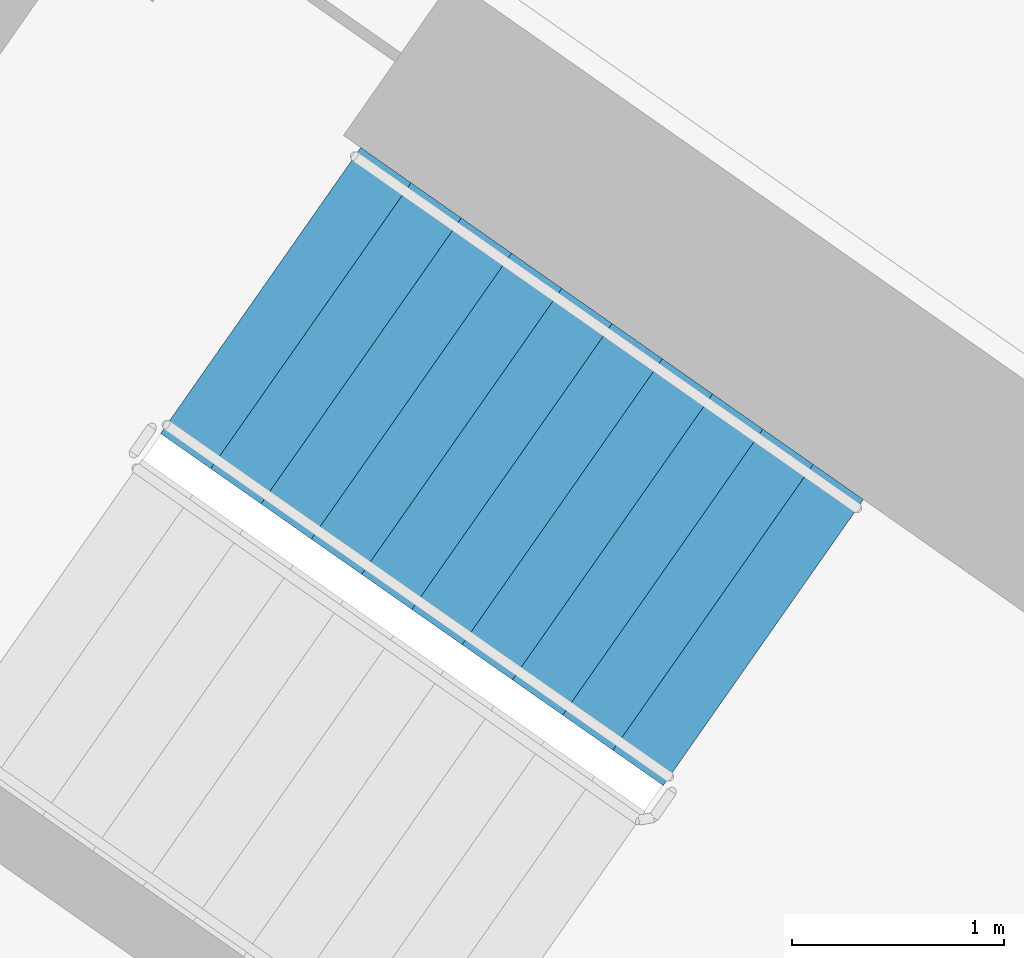
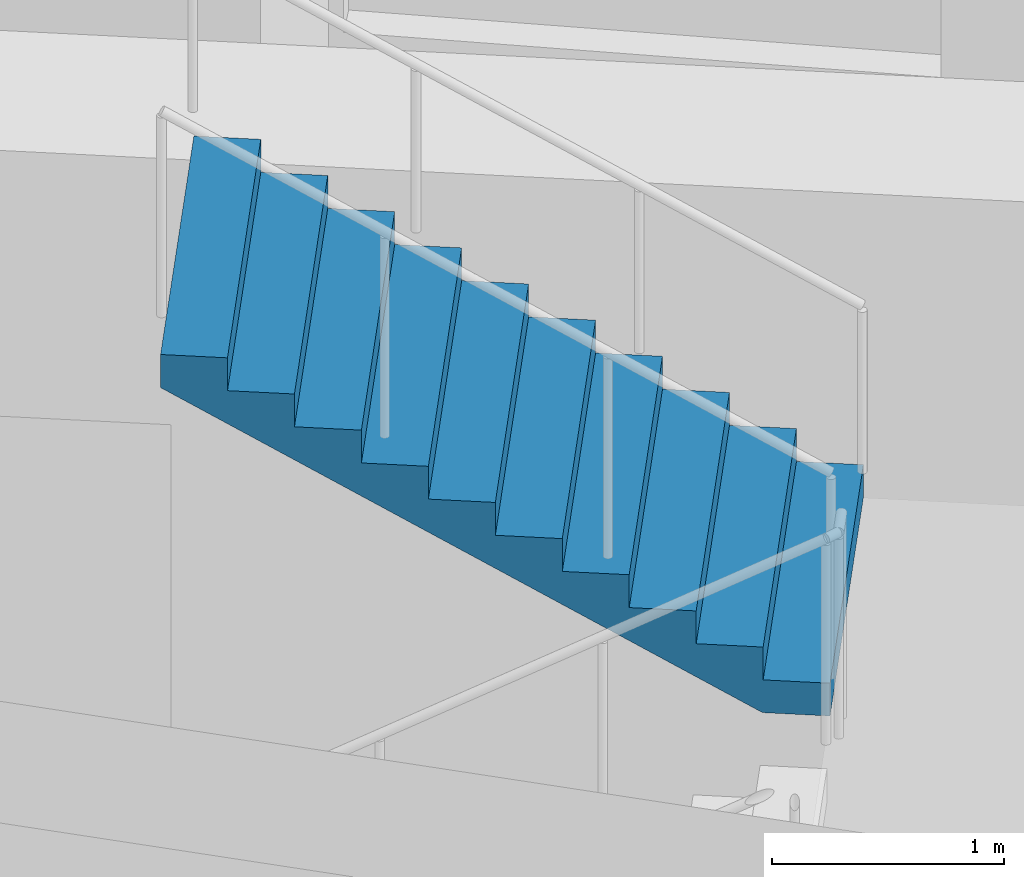
# One storey, part 13 of 33: 1 stair flight, 1 element without a shape of its own.
"""IFC4 building model written with IfcOpenShell, lengths in metres."""

import ifcopenshell
import ifcopenshell.guid

model = None  # the IFC model being written
_history = None  # IfcOwnerHistory: only IFC2X3 demands one
_inside = {}  # id of a spatial element -> (the spatial element, [elements in it])
_under = {}  # id of a project, library or spatial element -> (it, [spatial elements below it])
_declared = {}  # id of a project -> (the project, [libraries it declares])
_typed = {}  # id of a type object -> (the type object, [elements of that type])
_made_of = {}  # id of a material, layer set ... -> (it, [elements and type objects made of it])


def new_model(schema):
    """Start an empty IFC model of exactly this schema.

    Asked for "IFC4X3", IfcOpenShell would pick the latest addendum, in which some entities
    have other attributes; the version numbers below select the first issue.
    IFC2X3 requires an IfcOwnerHistory on every rooted entity: one is made here for all.
    """
    global model, _history
    if schema == "IFC4X3":
        model = ifcopenshell.file(schema_version=(4, 3, 0, 0))
    else:
        model = ifcopenshell.file(schema=schema)
    _inside.clear()
    _under.clear()
    _declared.clear()
    _typed.clear()
    _made_of.clear()
    _history = None
    if model.schema == "IFC2X3":
        org = make("IfcOrganization", Name="unknown")
        user = make(
            "IfcPersonAndOrganization",
            ThePerson=make("IfcPerson", FamilyName="unknown"),
            TheOrganization=org,
        )
        app = make(
            "IfcApplication",
            ApplicationDeveloper=org,
            Version="unknown",
            ApplicationFullName="unknown",
            ApplicationIdentifier="unknown",
        )
        _history = make(
            "IfcOwnerHistory",
            OwningUser=user,
            OwningApplication=app,
            ChangeAction="ADDED",
            CreationDate=0,
        )
    return model


def make(cls, **values):
    """One entity of the class cls with the attributes given. An attribute that is None is left unset."""
    return model.create_entity(
        cls, **{name: value for name, value in values.items() if value is not None}
    )


def rooted(cls, **values):
    """An entity with a GlobalId (a new one), such as an element, a storey or a relation."""
    return make(cls, GlobalId=ifcopenshell.guid.new(), OwnerHistory=_history, **values)


def si_unit(unit_type, name, prefix=None):
    """IfcSIUnit, for example si_unit("LENGTHUNIT", "METRE", prefix="MILLI")."""
    return make("IfcSIUnit", UnitType=unit_type, Prefix=prefix, Name=name)


def assignment(units):
    """IfcUnitAssignment: the units of a project."""
    return None if units is None else make("IfcUnitAssignment", Units=units)


def point(xyz):
    """IfcCartesianPoint."""
    return None if xyz is None else make("IfcCartesianPoint", Coordinates=xyz)


def direction(xyz):
    """IfcDirection."""
    return None if xyz is None else make("IfcDirection", DirectionRatios=xyz)


def frame(location, z_axis=None, x_axis=None):
    """IfcAxis2Placement3D, a coordinate frame: its origin and axes. An axis left out is left unset."""
    return make(
        "IfcAxis2Placement3D",
        Location=point(location),
        Axis=direction(z_axis),
        RefDirection=direction(x_axis),
    )


def origin():
    """The frame at (0, 0, 0) with its axes left unset."""
    return frame((0.0, 0.0, 0.0))


def place(relative_to, where):
    """IfcLocalPlacement: puts the frame where relative to a parent placement (None: the world)."""
    return make(
        "IfcLocalPlacement", PlacementRelTo=relative_to, RelativePlacement=where
    )


def context(
    kind, dimensions, precision=None, world=None, true_north=None, identifier=None
):
    """IfcGeometricRepresentationContext, for example the 3D "Model" context."""
    return make(
        "IfcGeometricRepresentationContext",
        ContextIdentifier=identifier,
        ContextType=kind,
        CoordinateSpaceDimension=dimensions,
        Precision=precision,
        WorldCoordinateSystem=world,
        TrueNorth=true_north,
    )


def subcontext(parent, identifier, kind, view, scale=None):
    """IfcGeometricRepresentationSubContext, for example "Body" below "Model"."""
    return make(
        "IfcGeometricRepresentationSubContext",
        ContextIdentifier=identifier,
        ContextType=kind,
        ParentContext=parent,
        TargetScale=scale,
        TargetView=view,
    )


def project(units=None, contexts=None):
    """IfcProject with its units and contexts."""
    return rooted(
        "IfcProject",
        Name="project",
        RepresentationContexts=contexts,
        UnitsInContext=assignment(units),
    )


def spatial(cls, under=None, at=None, **own):
    """A site, building, storey or space (cls), placed at a placement, below another one or the project."""
    s = rooted(cls, ObjectPlacement=at, **own)
    if under is not None:
        _under.setdefault(under.id(), (under, []))[1].append(s)
    return s


def faces_of(points, faces, orient=None, outer=None):
    """IfcFace entities. A face is a list of loops; a loop is a list of indices into points, from 0.

    orient and outer hold one flag for each loop. By default every Orientation is true, the
    first loop of a face is its IfcFaceOuterBound and the others are IfcFaceBound.
    """
    made = []
    for i, loops in enumerate(faces):
        bounds = []
        for j, loop in enumerate(loops):
            is_outer = j == 0 if outer is None else outer[i][j]
            bounds.append(
                make(
                    "IfcFaceOuterBound" if is_outer else "IfcFaceBound",
                    Bound=make("IfcPolyLoop", Polygon=[points[k] for k in loop]),
                    Orientation=True if orient is None else orient[i][j],
                )
            )
        made.append(make("IfcFace", Bounds=bounds))
    return made


def faceted_brep(points, faces, orient=None, outer=None, voids=None):
    """IfcFacetedBrep: a solid bounded by flat faces; with voids (closed shells), ...WithVoids."""
    shared = [point(p) for p in points]
    hull = make("IfcClosedShell", CfsFaces=faces_of(shared, faces, orient, outer))
    if voids is None:
        return make("IfcFacetedBrep", Outer=hull)
    return make(
        "IfcFacetedBrepWithVoids",
        Outer=hull,
        Voids=[
            make(cls, CfsFaces=faces_of(shared, fs, o, b)) for cls, fs, o, b in voids
        ],
    )


def shape(context_of_items, identifier, shape_type, items):
    """IfcShapeRepresentation: the items that make up one representation, for example the "Body"."""
    return make(
        "IfcShapeRepresentation",
        ContextOfItems=context_of_items,
        RepresentationIdentifier=identifier,
        RepresentationType=shape_type,
        Items=items,
    )


def material(Name=None, Category=None):
    """IfcMaterial."""
    return make("IfcMaterial", Name=Name, Category=Category)


def made_of(thing, what):
    """Note that an element or type object is made of a material, layer set ...; save() writes the relation."""
    if what is not None:
        _made_of.setdefault(what.id(), (what, []))[1].append(thing)
    return thing


def type_object(cls, material=None, **own):
    """A type object (cls), such as IfcWallType, which elements share."""
    return made_of(rooted(cls, **own), material)


def element(
    cls,
    number,
    at=None,
    inside=None,
    cuts=None,
    type_object=None,
    material=None,
    context=None,
    identifier="Body",
    shape_type=None,
    held_by="IfcProductDefinitionShape",
    body=None,
    shapes=None,
    **own,
):
    """One element of the class cls, such as IfcWall. Its Tag is "e" and its number.

    at: its placement. inside: the storey or other place that contains it. cuts: it is an
    opening in that element (IfcRelVoidsElement). A single representation is given by context,
    identifier, shape_type and body (its items); several are given by shapes. held_by: the class
    of the entity that holds the representations. save() writes the other relations.
    """
    e = rooted(cls, Tag="e%d" % number, ObjectPlacement=at, **own)
    if body is not None:
        shapes = [shape(context, identifier, shape_type, body)]
    if shapes is not None:
        e.Representation = make(held_by, Representations=shapes)
    if inside is not None:
        _inside.setdefault(inside.id(), (inside, []))[1].append(e)
    if cuts is not None:
        rooted(
            "IfcRelVoidsElement", RelatingBuildingElement=cuts, RelatedOpeningElement=e
        )
    if type_object is not None:
        _typed.setdefault(type_object.id(), (type_object, []))[1].append(e)
    return made_of(e, material)


def aggregate(whole, parts):
    """IfcRelAggregates: a whole, such as a stair, and the parts it consists of."""
    return rooted("IfcRelAggregates", RelatingObject=whole, RelatedObjects=parts)


def save(model, path):
    """Write the relations noted so far, then the file.

    IfcRelAggregates (storeys below a building ...), IfcRelContainedInSpatialStructure (elements
    in a storey), IfcRelDefinesByType, IfcRelAssociatesMaterial and IfcRelDeclares: one each for
    every whole, place, type object, material and project.
    """
    for whole, parts in _under.values():
        aggregate(whole, parts)
    for where, things in _inside.values():
        rooted(
            "IfcRelContainedInSpatialStructure",
            RelatedElements=things,
            RelatingStructure=where,
        )
    for kind, things in _typed.values():
        rooted("IfcRelDefinesByType", RelatedObjects=things, RelatingType=kind)
    for what, things in _made_of.values():
        rooted("IfcRelAssociatesMaterial", RelatedObjects=things, RelatingMaterial=what)
    for by, libraries in _declared.values():
        rooted("IfcRelDeclares", RelatingContext=by, RelatedDefinitions=libraries)
    model.write(path)


model = new_model("IFC4")

# Units and contexts
model_context = context("Model", 3, precision=1e-05, world=origin(), true_north=direction((0.0, 1.0)))
body_context = subcontext(model_context, "Body", "Model", "MODEL_VIEW")
ifc_project = project(units=[si_unit("LENGTHUNIT", "METRE"), si_unit("AREAUNIT", "SQUARE_METRE"), si_unit("VOLUMEUNIT", "CUBIC_METRE"), si_unit("PLANEANGLEUNIT", "RADIAN"), si_unit("MASSUNIT", "GRAM", prefix="KILO")], contexts=[model_context])

# Site, building, storey
site_placement = place(None, origin())
site = spatial("IfcSite", under=ifc_project, at=site_placement, CompositionType="ELEMENT")
building_placement = place(site_placement, origin())
building = spatial("IfcBuilding", under=site, at=building_placement, Name="Qamariyya Broadcast Tower", CompositionType="ELEMENT")
storey_placement = place(building_placement, frame((0.0, 0.0, 94.89990234375)))
storey = spatial("IfcBuildingStorey", under=building, at=storey_placement, Name="L20", CompositionType="ELEMENT", Elevation=94.89990234375)

# Stair, stair flight
ifc_material = material(Name="Concrete C50/60", Category="concrete")
stair_type = type_object("IfcStairType", Name="Exit stair 22 risers of 173 mm", PredefinedType="HALF_TURN_STAIR", material=ifc_material)
stair_placement = place(storey_placement, origin())
stair = element("IfcStair", 1, at=stair_placement, inside=storey, type_object=stair_type, Name="L20 Stair W2", PredefinedType="HALF_TURN_STAIR")
stair_flight_type = type_object("IfcStairFlightType", Name="Exit stair flight 11 risers of 173 mm", PredefinedType="STRAIGHT", material=ifc_material)
stair_flight_placement = place(storey_placement, frame((-38.18310546875, -49.3486328125, 1.900146484375), z_axis=(0.0, 0.0, 1.0), x_axis=(-0.819152044289, 0.573576436351, 0.0)))
stair_flight = element("IfcStairFlight", 2, at=stair_flight_placement, type_object=stair_flight_type, Name="ST-W2 flight 2", NumberOfRisers=11, NumberOfTreads=10, PredefinedType="STRAIGHT", RiserHeight=0.172727273, TreadLength=0.29, context=body_context, shape_type="Brep", body=[
    faceted_brep([(0.0, 0.824951171875, 0.0), (0.0, 0.824951171875, 0.172607421875), (0.2900390625, 0.824951171875, 0.172607421875), (0.2900390625, 0.824951171875, 0.345458984375), (0.580078125, 0.824951171875, 0.345458984375), (0.580078125, 0.824951171875, 0.51806640625), (0.8701171875, 0.824951171875, 0.51806640625), (0.8701171875, 0.824951171875, 0.69091796875), (1.159912109375, 0.824951171875, 0.69091796875), (1.159912109375, 0.824951171875, 0.863525390625), (1.449951171875, 0.824951171875, 0.863525390625), (1.449951171875, 0.824951171875, 1.036376953125), (1.739990234375, 0.824951171875, 1.036376953125), (1.739990234375, 0.824951171875, 1.208984375), (2.030029296875, 0.824951171875, 1.208984375), (2.030029296875, 0.824951171875, 1.3818359375), (2.320068359375, 0.824951171875, 1.3818359375), (2.320068359375, 0.824951171875, 1.554443359375), (2.610107421875, 0.824951171875, 1.554443359375), (2.610107421875, 0.824951171875, 1.727294921875), (2.89990234375, 0.824951171875, 1.727294921875), (2.89990234375, 0.824951171875, 1.552734375), (0.29296875, 0.824951171875, 0.0), (0.29296875, -0.824951171875, 0.0), (2.89990234375, -0.824951171875, 1.552734375), (2.89990234375, -0.824951171875, 1.727294921875), (2.610107421875, -0.824951171875, 1.727294921875), (2.610107421875, -0.824951171875, 1.554443359375), (2.320068359375, -0.824951171875, 1.554443359375), (2.320068359375, -0.824951171875, 1.3818359375), (2.030029296875, -0.824951171875, 1.3818359375), (2.030029296875, -0.824951171875, 1.208984375), (1.739990234375, -0.824951171875, 1.208984375), (1.739990234375, -0.824951171875, 1.036376953125), (1.449951171875, -0.824951171875, 1.036376953125), (1.449951171875, -0.824951171875, 0.863525390625), (1.159912109375, -0.824951171875, 0.863525390625), (1.159912109375, -0.824951171875, 0.69091796875), (0.8701171875, -0.824951171875, 0.69091796875), (0.8701171875, -0.824951171875, 0.51806640625), (0.580078125, -0.824951171875, 0.51806640625), (0.580078125, -0.824951171875, 0.345458984375), (0.2900390625, -0.824951171875, 0.345458984375), (0.2900390625, -0.824951171875, 0.172607421875), (0.0, -0.824951171875, 0.172607421875), (0.0, -0.824951171875, 0.0), (0.0, 0.10009765625, 0.0), (0.0, 0.086669921875, 0.0), (0.0, 0.0732421875, 0.0), (0.0, 0.06005859375, 0.0), (0.0, 0.046630859375, 0.0), (0.0, 0.033447265625, 0.0), (0.0, 0.02001953125, 0.0), (0.0, 0.006591796875, 0.0), (0.0, -0.006591796875, 0.0), (0.0, -0.02001953125, 0.0), (0.0, -0.033447265625, 0.0), (0.0, -0.046630859375, 0.0), (0.0, -0.06005859375, 0.0), (0.0, -0.0732421875, 0.0), (0.0, -0.086669921875, 0.0), (0.0, -0.10009765625, 0.0), (0.0, -0.10009765625, 0.172607421875), (0.0, -0.086669921875, 0.172607421875), (0.0, -0.0732421875, 0.172607421875), (0.0, -0.06005859375, 0.172607421875), (0.0, -0.046630859375, 0.172607421875), (0.0, -0.033447265625, 0.172607421875), (0.0, -0.02001953125, 0.172607421875), (0.0, -0.006591796875, 0.172607421875), (0.0, 0.006591796875, 0.172607421875), (0.0, 0.02001953125, 0.172607421875), (0.0, 0.033447265625, 0.172607421875), (0.0, 0.046630859375, 0.172607421875), (0.0, 0.06005859375, 0.172607421875), (0.0, 0.0732421875, 0.172607421875), (0.0, 0.086669921875, 0.172607421875), (0.0, 0.10009765625, 0.172607421875), (0.2900390625, -0.10009765625, 0.172607421875), (0.2900390625, -0.086669921875, 0.172607421875), (0.2900390625, -0.0732421875, 0.172607421875), (0.2900390625, -0.06005859375, 0.172607421875), (0.2900390625, -0.046630859375, 0.172607421875), (0.2900390625, -0.033447265625, 0.172607421875), (0.2900390625, -0.02001953125, 0.172607421875), (0.2900390625, -0.006591796875, 0.172607421875), (0.2900390625, 0.006591796875, 0.172607421875), (0.2900390625, 0.02001953125, 0.172607421875), (0.2900390625, 0.033447265625, 0.172607421875), (0.2900390625, 0.046630859375, 0.172607421875), (0.2900390625, 0.06005859375, 0.172607421875), (0.2900390625, 0.0732421875, 0.172607421875), (0.2900390625, 0.086669921875, 0.172607421875), (0.2900390625, 0.10009765625, 0.172607421875), (0.2900390625, -0.10009765625, 0.345458984375), (0.2900390625, -0.086669921875, 0.345458984375), (0.2900390625, -0.0732421875, 0.345458984375), (0.2900390625, -0.06005859375, 0.345458984375), (0.2900390625, -0.046630859375, 0.345458984375), (0.2900390625, -0.033447265625, 0.345458984375), (0.2900390625, -0.02001953125, 0.345458984375), (0.2900390625, -0.006591796875, 0.345458984375), (0.2900390625, 0.006591796875, 0.345458984375), (0.2900390625, 0.02001953125, 0.345458984375), (0.2900390625, 0.033447265625, 0.345458984375), (0.2900390625, 0.046630859375, 0.345458984375), (0.2900390625, 0.06005859375, 0.345458984375), (0.2900390625, 0.0732421875, 0.345458984375), (0.2900390625, 0.086669921875, 0.345458984375), (0.2900390625, 0.10009765625, 0.345458984375), (0.580078125, -0.10009765625, 0.345458984375), (0.580078125, -0.086669921875, 0.345458984375), (0.580078125, -0.0732421875, 0.345458984375), (0.580078125, -0.06005859375, 0.345458984375), (0.580078125, -0.046630859375, 0.345458984375), (0.580078125, -0.033447265625, 0.345458984375), (0.580078125, -0.02001953125, 0.345458984375), (0.580078125, -0.006591796875, 0.345458984375), (0.580078125, 0.006591796875, 0.345458984375), (0.580078125, 0.02001953125, 0.345458984375), (0.580078125, 0.033447265625, 0.345458984375), (0.580078125, 0.046630859375, 0.345458984375), (0.580078125, 0.06005859375, 0.345458984375), (0.580078125, 0.0732421875, 0.345458984375), (0.580078125, 0.086669921875, 0.345458984375), (0.580078125, 0.10009765625, 0.345458984375), (0.580078125, -0.10009765625, 0.51806640625), (0.580078125, -0.086669921875, 0.51806640625), (0.580078125, -0.0732421875, 0.51806640625), (0.580078125, -0.06005859375, 0.51806640625), (0.580078125, -0.046630859375, 0.51806640625), (0.580078125, -0.033447265625, 0.51806640625), (0.580078125, -0.02001953125, 0.51806640625), (0.580078125, -0.006591796875, 0.51806640625), (0.580078125, 0.006591796875, 0.51806640625), (0.580078125, 0.02001953125, 0.51806640625), (0.580078125, 0.033447265625, 0.51806640625), (0.580078125, 0.046630859375, 0.51806640625), (0.580078125, 0.06005859375, 0.51806640625), (0.580078125, 0.0732421875, 0.51806640625), (0.580078125, 0.086669921875, 0.51806640625), (0.580078125, 0.10009765625, 0.51806640625), (0.8701171875, -0.10009765625, 0.51806640625), (0.8701171875, -0.086669921875, 0.51806640625), (0.8701171875, -0.0732421875, 0.51806640625), (0.8701171875, -0.06005859375, 0.51806640625), (0.8701171875, -0.046630859375, 0.51806640625), (0.8701171875, -0.033447265625, 0.51806640625), (0.8701171875, -0.02001953125, 0.51806640625), (0.8701171875, -0.006591796875, 0.51806640625), (0.8701171875, 0.006591796875, 0.51806640625), (0.8701171875, 0.02001953125, 0.51806640625), (0.8701171875, 0.033447265625, 0.51806640625), (0.8701171875, 0.046630859375, 0.51806640625), (0.8701171875, 0.06005859375, 0.51806640625), (0.8701171875, 0.0732421875, 0.51806640625), (0.8701171875, 0.086669921875, 0.51806640625), (0.8701171875, 0.10009765625, 0.51806640625), (0.8701171875, -0.10009765625, 0.69091796875), (0.8701171875, -0.086669921875, 0.69091796875), (0.8701171875, -0.0732421875, 0.69091796875), (0.8701171875, -0.06005859375, 0.69091796875), (0.8701171875, -0.046630859375, 0.69091796875), (0.8701171875, -0.033447265625, 0.69091796875), (0.8701171875, -0.02001953125, 0.69091796875), (0.8701171875, -0.006591796875, 0.69091796875), (0.8701171875, 0.006591796875, 0.69091796875), (0.8701171875, 0.02001953125, 0.69091796875), (0.8701171875, 0.033447265625, 0.69091796875), (0.8701171875, 0.046630859375, 0.69091796875), (0.8701171875, 0.06005859375, 0.69091796875), (0.8701171875, 0.0732421875, 0.69091796875), (0.8701171875, 0.086669921875, 0.69091796875), (0.8701171875, 0.10009765625, 0.69091796875), (1.159912109375, -0.10009765625, 0.69091796875), (1.159912109375, -0.086669921875, 0.69091796875), (1.159912109375, -0.0732421875, 0.69091796875), (1.159912109375, -0.06005859375, 0.69091796875), (1.159912109375, -0.046630859375, 0.69091796875), (1.159912109375, -0.033447265625, 0.69091796875), (1.159912109375, -0.02001953125, 0.69091796875), (1.159912109375, -0.006591796875, 0.69091796875), (1.159912109375, 0.006591796875, 0.69091796875), (1.159912109375, 0.02001953125, 0.69091796875), (1.159912109375, 0.033447265625, 0.69091796875), (1.159912109375, 0.046630859375, 0.69091796875), (1.159912109375, 0.06005859375, 0.69091796875), (1.159912109375, 0.0732421875, 0.69091796875), (1.159912109375, 0.086669921875, 0.69091796875), (1.159912109375, 0.10009765625, 0.69091796875), (1.159912109375, -0.10009765625, 0.863525390625), (1.159912109375, -0.086669921875, 0.863525390625), (1.159912109375, -0.0732421875, 0.863525390625), (1.159912109375, -0.06005859375, 0.863525390625), (1.159912109375, -0.046630859375, 0.863525390625), (1.159912109375, -0.033447265625, 0.863525390625), (1.159912109375, -0.02001953125, 0.863525390625), (1.159912109375, -0.006591796875, 0.863525390625), (1.159912109375, 0.006591796875, 0.863525390625), (1.159912109375, 0.02001953125, 0.863525390625), (1.159912109375, 0.033447265625, 0.863525390625), (1.159912109375, 0.046630859375, 0.863525390625), (1.159912109375, 0.06005859375, 0.863525390625), (1.159912109375, 0.0732421875, 0.863525390625), (1.159912109375, 0.086669921875, 0.863525390625), (1.159912109375, 0.10009765625, 0.863525390625), (1.449951171875, -0.10009765625, 0.863525390625), (1.449951171875, -0.086669921875, 0.863525390625), (1.449951171875, -0.0732421875, 0.863525390625), (1.449951171875, -0.06005859375, 0.863525390625), (1.449951171875, -0.046630859375, 0.863525390625), (1.449951171875, -0.033447265625, 0.863525390625), (1.449951171875, -0.02001953125, 0.863525390625), (1.449951171875, -0.006591796875, 0.863525390625), (1.449951171875, 0.006591796875, 0.863525390625), (1.449951171875, 0.02001953125, 0.863525390625), (1.449951171875, 0.033447265625, 0.863525390625), (1.449951171875, 0.046630859375, 0.863525390625), (1.449951171875, 0.06005859375, 0.863525390625), (1.449951171875, 0.0732421875, 0.863525390625), (1.449951171875, 0.086669921875, 0.863525390625), (1.449951171875, 0.10009765625, 0.863525390625), (1.449951171875, -0.10009765625, 1.036376953125), (1.449951171875, -0.086669921875, 1.036376953125), (1.449951171875, -0.0732421875, 1.036376953125), (1.449951171875, -0.06005859375, 1.036376953125), (1.449951171875, -0.046630859375, 1.036376953125), (1.449951171875, -0.033447265625, 1.036376953125), (1.449951171875, -0.02001953125, 1.036376953125), (1.449951171875, -0.006591796875, 1.036376953125), (1.449951171875, 0.006591796875, 1.036376953125), (1.449951171875, 0.02001953125, 1.036376953125), (1.449951171875, 0.033447265625, 1.036376953125), (1.449951171875, 0.046630859375, 1.036376953125), (1.449951171875, 0.06005859375, 1.036376953125), (1.449951171875, 0.0732421875, 1.036376953125), (1.449951171875, 0.086669921875, 1.036376953125), (1.449951171875, 0.10009765625, 1.036376953125), (1.739990234375, -0.10009765625, 1.036376953125), (1.739990234375, -0.086669921875, 1.036376953125), (1.739990234375, -0.0732421875, 1.036376953125), (1.739990234375, -0.06005859375, 1.036376953125), (1.739990234375, -0.046630859375, 1.036376953125), (1.739990234375, -0.033447265625, 1.036376953125), (1.739990234375, -0.02001953125, 1.036376953125), (1.739990234375, -0.006591796875, 1.036376953125), (1.739990234375, 0.006591796875, 1.036376953125), (1.739990234375, 0.02001953125, 1.036376953125), (1.739990234375, 0.033447265625, 1.036376953125), (1.739990234375, 0.046630859375, 1.036376953125), (1.739990234375, 0.06005859375, 1.036376953125), (1.739990234375, 0.0732421875, 1.036376953125), (1.739990234375, 0.086669921875, 1.036376953125), (1.739990234375, 0.10009765625, 1.036376953125), (1.739990234375, -0.10009765625, 1.208984375), (1.739990234375, -0.086669921875, 1.208984375), (1.739990234375, -0.0732421875, 1.208984375), (1.739990234375, -0.06005859375, 1.208984375), (1.739990234375, -0.046630859375, 1.208984375), (1.739990234375, -0.033447265625, 1.208984375), (1.739990234375, -0.02001953125, 1.208984375), (1.739990234375, -0.006591796875, 1.208984375), (1.739990234375, 0.006591796875, 1.208984375), (1.739990234375, 0.02001953125, 1.208984375), (1.739990234375, 0.033447265625, 1.208984375), (1.739990234375, 0.046630859375, 1.208984375), (1.739990234375, 0.06005859375, 1.208984375), (1.739990234375, 0.0732421875, 1.208984375), (1.739990234375, 0.086669921875, 1.208984375), (1.739990234375, 0.10009765625, 1.208984375), (2.030029296875, -0.10009765625, 1.208984375), (2.030029296875, -0.086669921875, 1.208984375), (2.030029296875, -0.0732421875, 1.208984375), (2.030029296875, -0.06005859375, 1.208984375), (2.030029296875, -0.046630859375, 1.208984375), (2.030029296875, -0.033447265625, 1.208984375), (2.030029296875, -0.02001953125, 1.208984375), (2.030029296875, -0.006591796875, 1.208984375), (2.030029296875, 0.006591796875, 1.208984375), (2.030029296875, 0.02001953125, 1.208984375), (2.030029296875, 0.033447265625, 1.208984375), (2.030029296875, 0.046630859375, 1.208984375), (2.030029296875, 0.06005859375, 1.208984375), (2.030029296875, 0.0732421875, 1.208984375), (2.030029296875, 0.086669921875, 1.208984375), (2.030029296875, 0.10009765625, 1.208984375), (2.030029296875, -0.10009765625, 1.3818359375), (2.030029296875, -0.086669921875, 1.3818359375), (2.030029296875, -0.0732421875, 1.3818359375), (2.030029296875, -0.06005859375, 1.3818359375), (2.030029296875, -0.046630859375, 1.3818359375), (2.030029296875, -0.033447265625, 1.3818359375), (2.030029296875, -0.02001953125, 1.3818359375), (2.030029296875, -0.006591796875, 1.3818359375), (2.030029296875, 0.006591796875, 1.3818359375), (2.030029296875, 0.02001953125, 1.3818359375), (2.030029296875, 0.033447265625, 1.3818359375), (2.030029296875, 0.046630859375, 1.3818359375), (2.030029296875, 0.06005859375, 1.3818359375), (2.030029296875, 0.0732421875, 1.3818359375), (2.030029296875, 0.086669921875, 1.3818359375), (2.030029296875, 0.10009765625, 1.3818359375), (2.320068359375, -0.10009765625, 1.3818359375), (2.320068359375, -0.086669921875, 1.3818359375), (2.320068359375, -0.0732421875, 1.3818359375), (2.320068359375, -0.06005859375, 1.3818359375), (2.320068359375, -0.046630859375, 1.3818359375), (2.320068359375, -0.033447265625, 1.3818359375), (2.320068359375, -0.02001953125, 1.3818359375), (2.320068359375, -0.006591796875, 1.3818359375), (2.320068359375, 0.006591796875, 1.3818359375), (2.320068359375, 0.02001953125, 1.3818359375), (2.320068359375, 0.033447265625, 1.3818359375), (2.320068359375, 0.046630859375, 1.3818359375), (2.320068359375, 0.06005859375, 1.3818359375), (2.320068359375, 0.0732421875, 1.3818359375), (2.320068359375, 0.086669921875, 1.3818359375), (2.320068359375, 0.10009765625, 1.3818359375), (2.320068359375, -0.10009765625, 1.554443359375), (2.320068359375, -0.086669921875, 1.554443359375), (2.320068359375, -0.0732421875, 1.554443359375), (2.320068359375, -0.06005859375, 1.554443359375), (2.320068359375, -0.046630859375, 1.554443359375), (2.320068359375, -0.033447265625, 1.554443359375), (2.320068359375, -0.02001953125, 1.554443359375), (2.320068359375, -0.006591796875, 1.554443359375), (2.320068359375, 0.006591796875, 1.554443359375), (2.320068359375, 0.02001953125, 1.554443359375), (2.320068359375, 0.033447265625, 1.554443359375), (2.320068359375, 0.046630859375, 1.554443359375), (2.320068359375, 0.06005859375, 1.554443359375), (2.320068359375, 0.0732421875, 1.554443359375), (2.320068359375, 0.086669921875, 1.554443359375), (2.320068359375, 0.10009765625, 1.554443359375), (2.610107421875, -0.10009765625, 1.554443359375), (2.610107421875, -0.086669921875, 1.554443359375), (2.610107421875, -0.0732421875, 1.554443359375), (2.610107421875, -0.06005859375, 1.554443359375), (2.610107421875, -0.046630859375, 1.554443359375), (2.610107421875, -0.033447265625, 1.554443359375), (2.610107421875, -0.02001953125, 1.554443359375), (2.610107421875, -0.006591796875, 1.554443359375), (2.610107421875, 0.006591796875, 1.554443359375), (2.610107421875, 0.02001953125, 1.554443359375), (2.610107421875, 0.033447265625, 1.554443359375), (2.610107421875, 0.046630859375, 1.554443359375), (2.610107421875, 0.06005859375, 1.554443359375), (2.610107421875, 0.0732421875, 1.554443359375), (2.610107421875, 0.086669921875, 1.554443359375), (2.610107421875, 0.10009765625, 1.554443359375), (2.610107421875, -0.10009765625, 1.727294921875), (2.610107421875, -0.086669921875, 1.727294921875), (2.610107421875, -0.0732421875, 1.727294921875), (2.610107421875, -0.06005859375, 1.727294921875), (2.610107421875, -0.046630859375, 1.727294921875), (2.610107421875, -0.033447265625, 1.727294921875), (2.610107421875, -0.02001953125, 1.727294921875), (2.610107421875, -0.006591796875, 1.727294921875), (2.610107421875, 0.006591796875, 1.727294921875), (2.610107421875, 0.02001953125, 1.727294921875), (2.610107421875, 0.033447265625, 1.727294921875), (2.610107421875, 0.046630859375, 1.727294921875), (2.610107421875, 0.06005859375, 1.727294921875), (2.610107421875, 0.0732421875, 1.727294921875), (2.610107421875, 0.086669921875, 1.727294921875), (2.610107421875, 0.10009765625, 1.727294921875), (2.89990234375, -0.10009765625, 1.727294921875), (2.89990234375, -0.086669921875, 1.727294921875), (2.89990234375, -0.0732421875, 1.727294921875), (2.89990234375, -0.06005859375, 1.727294921875), (2.89990234375, -0.046630859375, 1.727294921875), (2.89990234375, -0.033447265625, 1.727294921875), (2.89990234375, -0.02001953125, 1.727294921875), (2.89990234375, -0.006591796875, 1.727294921875), (2.89990234375, 0.006591796875, 1.727294921875), (2.89990234375, 0.02001953125, 1.727294921875), (2.89990234375, 0.033447265625, 1.727294921875), (2.89990234375, 0.046630859375, 1.727294921875), (2.89990234375, 0.06005859375, 1.727294921875), (2.89990234375, 0.0732421875, 1.727294921875), (2.89990234375, 0.086669921875, 1.727294921875), (2.89990234375, 0.10009765625, 1.727294921875), (2.89990234375, -0.10009765625, 1.552734375), (2.89990234375, -0.086669921875, 1.552734375), (2.89990234375, -0.0732421875, 1.552734375), (2.89990234375, -0.06005859375, 1.552734375), (2.89990234375, -0.046630859375, 1.552734375), (2.89990234375, -0.033447265625, 1.552734375), (2.89990234375, -0.02001953125, 1.552734375), (2.89990234375, -0.006591796875, 1.552734375), (2.89990234375, 0.006591796875, 1.552734375), (2.89990234375, 0.02001953125, 1.552734375), (2.89990234375, 0.033447265625, 1.552734375), (2.89990234375, 0.046630859375, 1.552734375), (2.89990234375, 0.06005859375, 1.552734375), (2.89990234375, 0.0732421875, 1.552734375), (2.89990234375, 0.086669921875, 1.552734375), (2.89990234375, 0.10009765625, 1.552734375), (0.29296875, -0.10009765625, 0.0), (0.29296875, -0.086669921875, 0.0), (0.29296875, -0.0732421875, 0.0), (0.29296875, -0.06005859375, 0.0), (0.29296875, -0.046630859375, 0.0), (0.29296875, -0.033447265625, 0.0), (0.29296875, -0.02001953125, 0.0), (0.29296875, -0.006591796875, 0.0), (0.29296875, 0.006591796875, 0.0), (0.29296875, 0.02001953125, 0.0), (0.29296875, 0.033447265625, 0.0), (0.29296875, 0.046630859375, 0.0), (0.29296875, 0.06005859375, 0.0), (0.29296875, 0.0732421875, 0.0), (0.29296875, 0.086669921875, 0.0), (0.29296875, 0.10009765625, 0.0)], [[[0, 1, 2, 3, 4, 5, 6, 7, 8, 9, 10, 11, 12, 13, 14, 15, 16, 17, 18, 19, 20, 21, 22]], [[23, 24, 25, 26, 27, 28, 29, 30, 31, 32, 33, 34, 35, 36, 37, 38, 39, 40, 41, 42, 43, 44, 45]], [[0, 46, 47, 48, 49, 50, 51, 52, 53, 54, 55, 56, 57, 58, 59, 60, 61, 45, 44, 62, 63, 64, 65, 66, 67, 68, 69, 70, 71, 72, 73, 74, 75, 76, 77, 1]], [[1, 77, 76, 75, 74, 73, 72, 71, 70, 69, 68, 67, 66, 65, 64, 63, 62, 44, 43, 78, 79, 80, 81, 82, 83, 84, 85, 86, 87, 88, 89, 90, 91, 92, 93, 2]], [[2, 93, 92, 91, 90, 89, 88, 87, 86, 85, 84, 83, 82, 81, 80, 79, 78, 43, 42, 94, 95, 96, 97, 98, 99, 100, 101, 102, 103, 104, 105, 106, 107, 108, 109, 3]], [[3, 109, 108, 107, 106, 105, 104, 103, 102, 101, 100, 99, 98, 97, 96, 95, 94, 42, 41, 110, 111, 112, 113, 114, 115, 116, 117, 118, 119, 120, 121, 122, 123, 124, 125, 4]], [[4, 125, 124, 123, 122, 121, 120, 119, 118, 117, 116, 115, 114, 113, 112, 111, 110, 41, 40, 126, 127, 128, 129, 130, 131, 132, 133, 134, 135, 136, 137, 138, 139, 140, 141, 5]], [[5, 141, 140, 139, 138, 137, 136, 135, 134, 133, 132, 131, 130, 129, 128, 127, 126, 40, 39, 142, 143, 144, 145, 146, 147, 148, 149, 150, 151, 152, 153, 154, 155, 156, 157, 6]], [[6, 157, 156, 155, 154, 153, 152, 151, 150, 149, 148, 147, 146, 145, 144, 143, 142, 39, 38, 158, 159, 160, 161, 162, 163, 164, 165, 166, 167, 168, 169, 170, 171, 172, 173, 7]], [[7, 173, 172, 171, 170, 169, 168, 167, 166, 165, 164, 163, 162, 161, 160, 159, 158, 38, 37, 174, 175, 176, 177, 178, 179, 180, 181, 182, 183, 184, 185, 186, 187, 188, 189, 8]], [[8, 189, 188, 187, 186, 185, 184, 183, 182, 181, 180, 179, 178, 177, 176, 175, 174, 37, 36, 190, 191, 192, 193, 194, 195, 196, 197, 198, 199, 200, 201, 202, 203, 204, 205, 9]], [[9, 205, 204, 203, 202, 201, 200, 199, 198, 197, 196, 195, 194, 193, 192, 191, 190, 36, 35, 206, 207, 208, 209, 210, 211, 212, 213, 214, 215, 216, 217, 218, 219, 220, 221, 10]], [[10, 221, 220, 219, 218, 217, 216, 215, 214, 213, 212, 211, 210, 209, 208, 207, 206, 35, 34, 222, 223, 224, 225, 226, 227, 228, 229, 230, 231, 232, 233, 234, 235, 236, 237, 11]], [[11, 237, 236, 235, 234, 233, 232, 231, 230, 229, 228, 227, 226, 225, 224, 223, 222, 34, 33, 238, 239, 240, 241, 242, 243, 244, 245, 246, 247, 248, 249, 250, 251, 252, 253, 12]], [[12, 253, 252, 251, 250, 249, 248, 247, 246, 245, 244, 243, 242, 241, 240, 239, 238, 33, 32, 254, 255, 256, 257, 258, 259, 260, 261, 262, 263, 264, 265, 266, 267, 268, 269, 13]], [[13, 269, 268, 267, 266, 265, 264, 263, 262, 261, 260, 259, 258, 257, 256, 255, 254, 32, 31, 270, 271, 272, 273, 274, 275, 276, 277, 278, 279, 280, 281, 282, 283, 284, 285, 14]], [[14, 285, 284, 283, 282, 281, 280, 279, 278, 277, 276, 275, 274, 273, 272, 271, 270, 31, 30, 286, 287, 288, 289, 290, 291, 292, 293, 294, 295, 296, 297, 298, 299, 300, 301, 15]], [[15, 301, 300, 299, 298, 297, 296, 295, 294, 293, 292, 291, 290, 289, 288, 287, 286, 30, 29, 302, 303, 304, 305, 306, 307, 308, 309, 310, 311, 312, 313, 314, 315, 316, 317, 16]], [[16, 317, 316, 315, 314, 313, 312, 311, 310, 309, 308, 307, 306, 305, 304, 303, 302, 29, 28, 318, 319, 320, 321, 322, 323, 324, 325, 326, 327, 328, 329, 330, 331, 332, 333, 17]], [[17, 333, 332, 331, 330, 329, 328, 327, 326, 325, 324, 323, 322, 321, 320, 319, 318, 28, 27, 334, 335, 336, 337, 338, 339, 340, 341, 342, 343, 344, 345, 346, 347, 348, 349, 18]], [[18, 349, 348, 347, 346, 345, 344, 343, 342, 341, 340, 339, 338, 337, 336, 335, 334, 27, 26, 350, 351, 352, 353, 354, 355, 356, 357, 358, 359, 360, 361, 362, 363, 364, 365, 19]], [[19, 365, 364, 363, 362, 361, 360, 359, 358, 357, 356, 355, 354, 353, 352, 351, 350, 26, 25, 366, 367, 368, 369, 370, 371, 372, 373, 374, 375, 376, 377, 378, 379, 380, 381, 20]], [[20, 381, 380, 379, 378, 377, 376, 375, 374, 373, 372, 371, 370, 369, 368, 367, 366, 25, 24, 382, 383, 384, 385, 386, 387, 388, 389, 390, 391, 392, 393, 394, 395, 396, 397, 21]], [[21, 397, 396, 395, 394, 393, 392, 391, 390, 389, 388, 387, 386, 385, 384, 383, 382, 24, 23, 398, 399, 400, 401, 402, 403, 404, 405, 406, 407, 408, 409, 410, 411, 412, 413, 22]], [[22, 413, 412, 411, 410, 409, 408, 407, 406, 405, 404, 403, 402, 401, 400, 399, 398, 23, 45, 61, 60, 59, 58, 57, 56, 55, 54, 53, 52, 51, 50, 49, 48, 47, 46, 0]]]),
])
aggregate(stair, [stair_flight])

save(model, "model.ifc")
